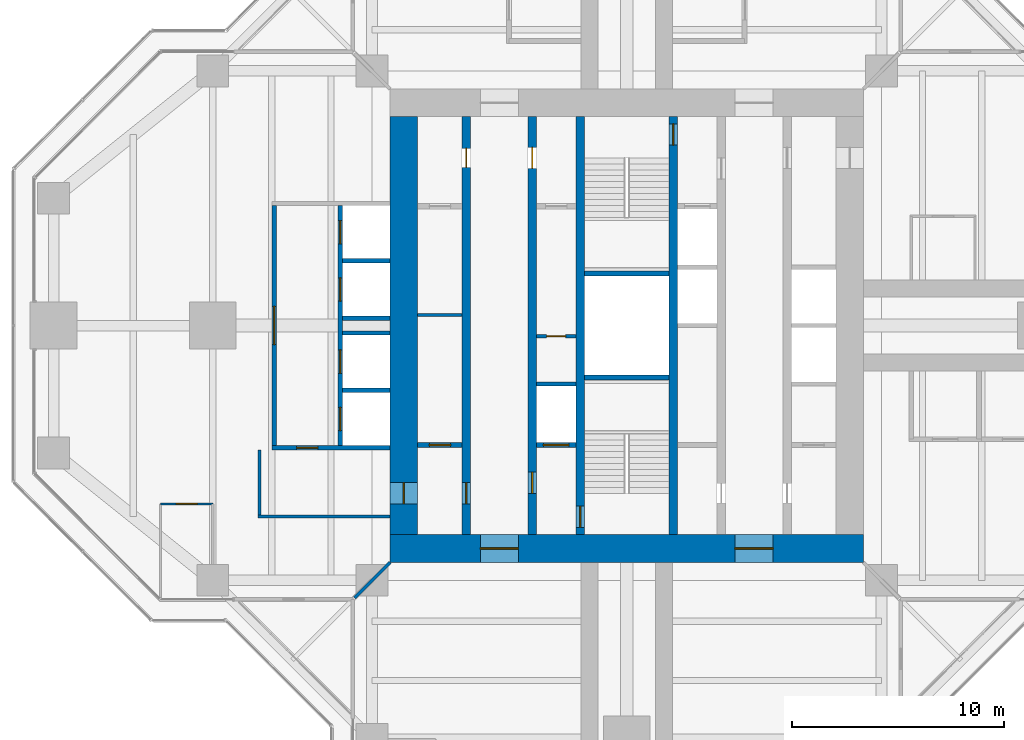
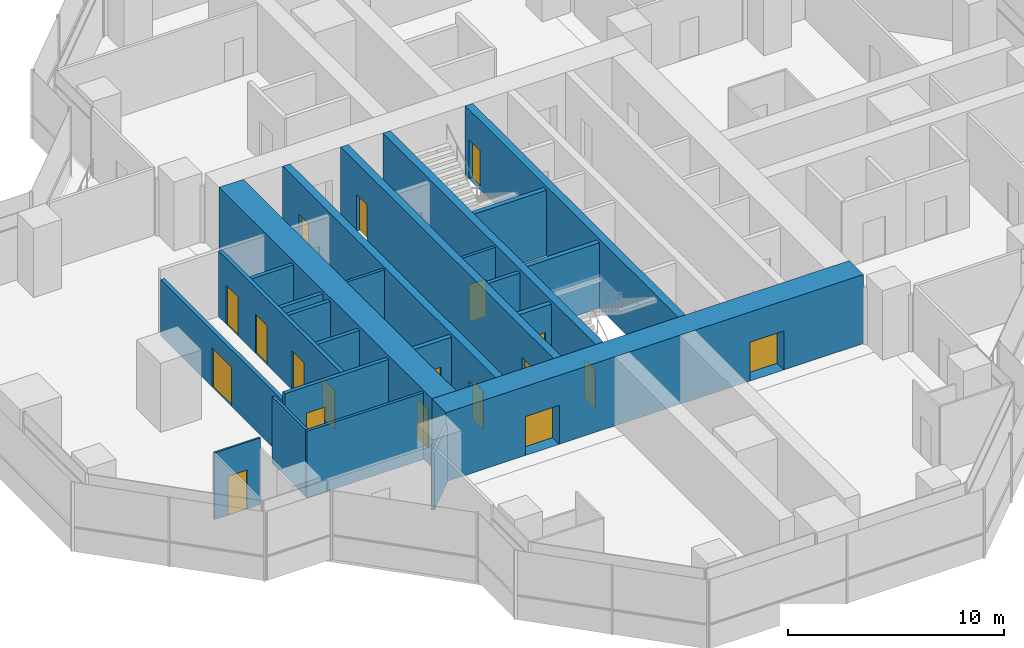
# One storey, part 13 of 17: 24 walls, 19 doors, 19 openings.
"""IFC4 building model written with IfcOpenShell, lengths in metres."""

from ifc_helpers import new_model, si_unit, direction, frame, frame_2d, origin, place, context, subcontext, project, spatial, rectangle, extrude, material, layer, layer_set, type_object, element, fill, save


model = new_model("IFC4")

# Units and contexts
model_context = context("Model", 3, precision=1e-05, world=origin(), true_north=direction((0.0, 1.0)))
body_context = subcontext(model_context, "Body", "Model", "MODEL_VIEW")
ifc_project = project(units=[si_unit("LENGTHUNIT", "METRE"), si_unit("AREAUNIT", "SQUARE_METRE"), si_unit("VOLUMEUNIT", "CUBIC_METRE"), si_unit("PLANEANGLEUNIT", "RADIAN"), si_unit("MASSUNIT", "GRAM", prefix="KILO")], contexts=[model_context])

# Site, building, storey
site_placement = place(None, origin())
site = spatial("IfcSite", under=ifc_project, at=site_placement, CompositionType="ELEMENT")
building_placement = place(site_placement, origin())
building = spatial("IfcBuilding", under=site, at=building_placement, Name="Mizan Broadcast Tower", CompositionType="ELEMENT")
storey_placement = place(building_placement, frame((0.0, 0.0, 236.10009765625)))
storey = spatial("IfcBuildingStorey", under=building, at=storey_placement, Name="L55", CompositionType="ELEMENT", Elevation=236.10009765625)

# Wall, openings, doors
ifc_material_1 = material(Name="Concrete C70/85", Category="concrete")
ifc_layer_1 = layer(ifc_material_1, 0.39990234375)
ifc_layer_set_1 = layer_set([ifc_layer_1], Name="Concrete C70/85")
wall_type_1 = type_object("IfcWallType", Name="CORE INTERNAL WALL 400", PredefinedType="SHEAR", material=ifc_layer_set_1)
wall_1_placement = place(storey_placement, frame((-7.550048828125, -9.85009765625, 0.0), z_axis=(0.0, 0.0, 1.0), x_axis=(0.0, 1.0, 0.0)))
wall_1 = element("IfcWall", 1, at=wall_1_placement, inside=storey, type_object=wall_type_1, Name="Core wall CORE/XW1", PredefinedType="SHEAR", context=body_context, shape_type="SweptSolid", body=[
    extrude(rectangle(XDim=19.7001953125, YDim=0.39990234375, at=frame_2d((9.85009765625, 0.0))), origin(), (0.0, 0.0, 1.0), 3.89990234375),
])
opening_1_placement = place(wall_1_placement, frame((1.449951171875, 0.0, 0.0)))
opening_1 = element("IfcOpeningElement", 2, at=opening_1_placement, cuts=wall_1, Name="Opening D10F", PredefinedType="OPENING", context=body_context, shape_type="SweptSolid", body=[
    extrude(rectangle(XDim=1.0, YDim=2.199951171875, at=frame_2d((0.5, 1.10009765625))), frame((0.0, 0.2099609375, 0.0), z_axis=(0.0, -1.0, 0.0), x_axis=(1.0, 0.0, 0.0)), (0.0, 0.0, 1.0), 0.419921875),
])
opening_2_placement = place(wall_1_placement, frame((17.300048828125, 0.0, 0.0)))
opening_2 = element("IfcOpeningElement", 3, at=opening_2_placement, cuts=wall_1, Name="Opening D09", PredefinedType="OPENING", context=body_context, shape_type="SweptSolid", body=[
    extrude(rectangle(XDim=0.89990234375, YDim=2.10009765625, at=frame_2d((0.449951171875, 1.050048828125))), frame((0.0, 0.2099609375, 0.0), z_axis=(0.0, -1.0, 0.0), x_axis=(1.0, 0.0, 0.0)), (0.0, 0.0, 1.0), 0.419921875),
])
ifc_material_2 = material(Name="Steel door leaf in steel frame", Category="steel")
door_type_1 = type_object("IfcDoorType", Name="FIRE DOOR 1000 FD90", OperationType="SINGLE_SWING_LEFT", PredefinedType="DOOR", material=ifc_material_2)
door_1_placement = place(opening_1_placement, origin())
door_1 = element("IfcDoor", 4, at=door_1_placement, inside=storey, type_object=door_type_1, Name="West core passage door", OperationType="SINGLE_SWING_LEFT", OverallHeight=2.199951171875, OverallWidth=1.0, PredefinedType="DOOR", context=body_context, shape_type="SweptSolid", body=[
    extrude(rectangle(XDim=1.0, YDim=2.199951171875, at=frame_2d((0.5, 1.10009765625))), frame((0.0, 0.02490234375, 0.0), z_axis=(0.0, -1.0, 0.0), x_axis=(1.0, 0.0, 0.0)), (0.0, 0.0, 1.0), 0.050048828125),
])
fill(opening_1, door_1)
ifc_material_3 = material(Name="Timber door leaf in aluminium frame", Category="wood")
door_type_2 = type_object("IfcDoorType", Name="TOILET DOOR 900", OperationType="SINGLE_SWING_LEFT", PredefinedType="DOOR", material=ifc_material_3)
door_2_placement = place(opening_2_placement, origin())
door_2 = element("IfcDoor", 5, at=door_2_placement, inside=storey, type_object=door_type_2, Name="Male WC door", OperationType="SINGLE_SWING_RIGHT", OverallHeight=2.10009765625, OverallWidth=0.89990234375, PredefinedType="DOOR", context=body_context, shape_type="SweptSolid", body=[
    extrude(rectangle(XDim=0.89990234375, YDim=2.10009765625, at=frame_2d((0.449951171875, 1.050048828125))), frame((0.0, 0.02490234375, 0.0), z_axis=(0.0, -1.0, 0.0), x_axis=(1.0, 0.0, 0.0)), (0.0, 0.0, 1.0), 0.050048828125),
])
fill(opening_2, door_2)

wall_2_placement = place(storey_placement, frame((-4.449951171875, -9.85009765625, 0.0), z_axis=(0.0, 0.0, 1.0), x_axis=(0.0, 1.0, 0.0)))
wall_2 = element("IfcWall", 6, at=wall_2_placement, inside=storey, type_object=wall_type_1, Name="Core wall CORE/XWH", PredefinedType="SHEAR", context=body_context, shape_type="SweptSolid", body=[
    extrude(rectangle(XDim=19.7001953125, YDim=0.39990234375, at=frame_2d((9.85009765625, 0.0))), origin(), (0.0, 0.0, 1.0), 3.89990234375),
])
opening_3_placement = place(wall_2_placement, frame((1.949951171875, 0.0, 0.0)))
opening_3 = element("IfcOpeningElement", 7, at=opening_3_placement, cuts=wall_2, Name="Opening D10F", PredefinedType="OPENING", context=body_context, shape_type="SweptSolid", body=[
    extrude(rectangle(XDim=1.0, YDim=2.199951171875, at=frame_2d((0.5, 1.10009765625))), frame((0.0, 0.2099609375, 0.0), z_axis=(0.0, -1.0, 0.0), x_axis=(1.0, 0.0, 0.0)), (0.0, 0.0, 1.0), 0.419921875),
])
opening_4_placement = place(wall_2_placement, frame((17.25, 0.0, 0.0)))
opening_4 = element("IfcOpeningElement", 8, at=opening_4_placement, cuts=wall_2, Name="Opening D10A", PredefinedType="OPENING", context=body_context, shape_type="SweptSolid", body=[
    extrude(rectangle(XDim=1.0, YDim=2.10009765625, at=frame_2d((0.5, 1.050048828125))), frame((0.0, 0.2099609375, 0.0), z_axis=(0.0, -1.0, 0.0), x_axis=(1.0, 0.0, 0.0)), (0.0, 0.0, 1.0), 0.419921875),
])
ifc_material_4 = material(Name="Timber door leaf in aluminium frame", Category="wood")
door_type_3 = type_object("IfcDoorType", Name="ACCESSIBLE WC DOOR 1000", OperationType="SLIDING_TO_LEFT", PredefinedType="DOOR", material=ifc_material_4)
door_3_placement = place(opening_4_placement, origin())
door_3 = element("IfcDoor", 9, at=door_3_placement, inside=storey, type_object=door_type_3, Name="Accessible WC door", OperationType="SLIDING_TO_LEFT", OverallHeight=2.10009765625, OverallWidth=1.0, PredefinedType="DOOR", context=body_context, shape_type="SweptSolid", body=[
    extrude(rectangle(XDim=1.0, YDim=2.10009765625, at=frame_2d((0.5, 1.050048828125))), frame((0.0, 0.02490234375, 0.0), z_axis=(0.0, -1.0, 0.0), x_axis=(1.0, 0.0, 0.0)), (0.0, 0.0, 1.0), 0.050048828125),
])
fill(opening_4, door_3)
door_4_placement = place(opening_3_placement, origin())
door_4 = element("IfcDoor", 10, at=door_4_placement, inside=storey, type_object=door_type_1, Name="Firefighting lobby A door", OperationType="SINGLE_SWING_LEFT", OverallHeight=2.199951171875, OverallWidth=1.0, PredefinedType="DOOR", context=body_context, shape_type="SweptSolid", body=[
    extrude(rectangle(XDim=1.0, YDim=2.199951171875, at=frame_2d((0.5, 1.10009765625))), frame((0.0, 0.02490234375, 0.0), z_axis=(0.0, -1.0, 0.0), x_axis=(1.0, 0.0, 0.0)), (0.0, 0.0, 1.0), 0.050048828125),
])
fill(opening_3, door_4)

# Wall, opening, door
wall_3_placement = place(storey_placement, frame((-2.199951171875, -9.85009765625, 0.0), z_axis=(0.0, 0.0, 1.0), x_axis=(0.0, 1.0, 0.0)))
wall_3 = element("IfcWall", 11, at=wall_3_placement, inside=storey, type_object=wall_type_1, Name="Core wall CORE/XW2", PredefinedType="SHEAR", context=body_context, shape_type="SweptSolid", body=[
    extrude(rectangle(XDim=19.7001953125, YDim=0.39990234375, at=frame_2d((9.85009765625, 0.0))), origin(), (0.0, 0.0, 1.0), 3.89990234375),
])
opening_5_placement = place(wall_3_placement, frame((0.35009765625, 0.0, 0.0)))
opening_5 = element("IfcOpeningElement", 12, at=opening_5_placement, cuts=wall_3, Name="Opening D10S", PredefinedType="OPENING", context=body_context, shape_type="SweptSolid", body=[
    extrude(rectangle(XDim=1.0, YDim=2.199951171875, at=frame_2d((0.5, 1.10009765625))), frame((0.0, 0.2099609375, 0.0), z_axis=(0.0, -1.0, 0.0), x_axis=(1.0, 0.0, 0.0)), (0.0, 0.0, 1.0), 0.419921875),
])
ifc_material_5 = material(Name="Steel door leaf in steel frame", Category="steel")
door_type_4 = type_object("IfcDoorType", Name="STAIR DOOR 1000 FD90S", OperationType="SINGLE_SWING_RIGHT", PredefinedType="DOOR", material=ifc_material_5)
door_5_placement = place(opening_5_placement, origin())
door_5 = element("IfcDoor", 13, at=door_5_placement, inside=storey, type_object=door_type_4, Name="Stair A door", OperationType="SINGLE_SWING_RIGHT", OverallHeight=2.199951171875, OverallWidth=1.0, PredefinedType="DOOR", context=body_context, shape_type="SweptSolid", body=[
    extrude(rectangle(XDim=1.0, YDim=2.199951171875, at=frame_2d((0.5, 1.10009765625))), frame((0.0, 0.02490234375, 0.0), z_axis=(0.0, -1.0, 0.0), x_axis=(1.0, 0.0, 0.0)), (0.0, 0.0, 1.0), 0.050048828125),
])
fill(opening_5, door_5)

wall_4_placement = place(storey_placement, frame((2.199951171875, 9.85009765625, 0.0), z_axis=(0.0, 0.0, 1.0), x_axis=(0.0, -1.0, 0.0)))
wall_4 = element("IfcWall", 14, at=wall_4_placement, inside=storey, type_object=wall_type_1, Name="Core wall CORE/XW2E", PredefinedType="SHEAR", context=body_context, shape_type="SweptSolid", body=[
    extrude(rectangle(XDim=19.7001953125, YDim=0.39990234375, at=frame_2d((9.85009765625, 0.0))), origin(), (0.0, 0.0, 1.0), 3.89990234375),
])
opening_6_placement = place(wall_4_placement, frame((0.35009765625, 0.0, 0.0)))
opening_6 = element("IfcOpeningElement", 15, at=opening_6_placement, cuts=wall_4, Name="Opening D10S", PredefinedType="OPENING", context=body_context, shape_type="SweptSolid", body=[
    extrude(rectangle(XDim=1.0, YDim=2.199951171875, at=frame_2d((0.5, 1.10009765625))), frame((0.0, 0.2099609375, 0.0), z_axis=(0.0, -1.0, 0.0), x_axis=(1.0, 0.0, 0.0)), (0.0, 0.0, 1.0), 0.419921875),
])
door_6_placement = place(opening_6_placement, origin())
door_6 = element("IfcDoor", 16, at=door_6_placement, inside=storey, type_object=door_type_4, Name="Stair B door", OperationType="SINGLE_SWING_RIGHT", OverallHeight=2.199951171875, OverallWidth=1.0, PredefinedType="DOOR", context=body_context, shape_type="SweptSolid", body=[
    extrude(rectangle(XDim=1.0, YDim=2.199951171875, at=frame_2d((0.5, 1.10009765625))), frame((0.0, 0.02490234375, 0.0), z_axis=(0.0, -1.0, 0.0), x_axis=(1.0, 0.0, 0.0)), (0.0, 0.0, 1.0), 0.050048828125),
])
fill(opening_6, door_6)

# Wall
ifc_material_6 = material(Name="Concrete blockwork", Category="masonry")
ifc_layer_2 = layer(ifc_material_6, 0.14990234375)
ifc_layer_set_2 = layer_set([ifc_layer_2], Name="Concrete blockwork")
wall_type_2 = type_object("IfcWallType", Name="CORE PARTITION 150", PredefinedType="SOLIDWALL", material=ifc_layer_set_2)
wall_5_placement = place(storey_placement, frame((-9.85009765625, 0.5, 0.0), z_axis=(0.0, 0.0, 1.0), x_axis=(1.0, 0.0, 0.0)))
element("IfcWall", 17, at=wall_5_placement, inside=storey, type_object=wall_type_2, Name="Core partition CORE/XP1", PredefinedType="SOLIDWALL", context=body_context, shape_type="SweptSolid", body=[
    extrude(rectangle(XDim=2.10009765625, YDim=0.14990234375, at=frame_2d((1.050048828125, 0.0))), origin(), (0.0, 0.0, 1.0), 3.77001953125),
])

# Wall, opening, door
wall_6_placement = place(storey_placement, frame((-4.25, -0.5, 0.0), z_axis=(0.0, 0.0, 1.0), x_axis=(1.0, 0.0, 0.0)))
wall_6 = element("IfcWall", 18, at=wall_6_placement, inside=storey, type_object=wall_type_2, Name="Core partition CORE/XP2", PredefinedType="SOLIDWALL", context=body_context, shape_type="SweptSolid", body=[
    extrude(rectangle(XDim=1.85009765625, YDim=0.14990234375, at=frame_2d((0.925048828125, 0.0))), origin(), (0.0, 0.0, 1.0), 3.77001953125),
])
opening_7_placement = place(wall_6_placement, frame((0.47509765625, 0.0, 0.0)))
opening_7 = element("IfcOpeningElement", 19, at=opening_7_placement, cuts=wall_6, Name="Opening D09F", PredefinedType="OPENING", context=body_context, shape_type="SweptSolid", body=[
    extrude(rectangle(XDim=0.89990234375, YDim=2.10009765625, at=frame_2d((0.449951171875, 1.050048828125))), frame((0.0, 0.0849609375, 0.0), z_axis=(0.0, -1.0, 0.0), x_axis=(1.0, 0.0, 0.0)), (0.0, 0.0, 1.0), 0.169921875),
])
ifc_material_7 = material(Name="Steel door leaf in steel frame", Category="steel")
door_type_5 = type_object("IfcDoorType", Name="CORE ROOM DOOR 900 FD90", OperationType="SINGLE_SWING_LEFT", PredefinedType="DOOR", material=ifc_material_7)
door_7_placement = place(opening_7_placement, origin())
door_7 = element("IfcDoor", 20, at=door_7_placement, inside=storey, type_object=door_type_5, Name="Staff shower room door", OperationType="SINGLE_SWING_RIGHT", OverallHeight=2.10009765625, OverallWidth=0.89990234375, PredefinedType="DOOR", context=body_context, shape_type="SweptSolid", body=[
    extrude(rectangle(XDim=0.89990234375, YDim=2.10009765625, at=frame_2d((0.449951171875, 1.050048828125))), frame((0.0, 0.02490234375, 0.0), z_axis=(0.0, -1.0, 0.0), x_axis=(1.0, 0.0, 0.0)), (0.0, 0.0, 1.0), 0.050048828125),
])
fill(opening_7, door_7)

# Wall, openings, doors
ifc_material_8 = material(Name="Concrete C70/85", Category="concrete")
ifc_layer_3 = layer(ifc_material_8, 1.300048828125)
ifc_layer_set_3 = layer_set([ifc_layer_3], Name="Concrete C70/85")
wall_type_3 = type_object("IfcWallType", Name="CORE WALL 1300", PredefinedType="SHEAR", material=ifc_layer_set_3)
wall_7_placement = place(storey_placement, frame((11.14990234375, -10.5, 0.0), z_axis=(0.0, 0.0, 1.0), x_axis=(-1.0, 0.0, 0.0)))
wall_7 = element("IfcWall", 21, at=wall_7_placement, inside=storey, type_object=wall_type_3, Name="Core wall S L55", PredefinedType="SHEAR", context=body_context, shape_type="SweptSolid", body=[
    extrude(rectangle(XDim=22.2998046875, YDim=1.300048828125, at=frame_2d((11.14990234375, 0.0))), origin(), (0.0, 0.0, 1.0), 3.89990234375),
])
opening_8_placement = place(wall_7_placement, frame((16.25, 0.0, 0.0)))
opening_8 = element("IfcOpeningElement", 22, at=opening_8_placement, cuts=wall_7, Name="Opening D18F", PredefinedType="OPENING", context=body_context, shape_type="SweptSolid", body=[
    extrude(rectangle(XDim=1.800048828125, YDim=2.199951171875, at=frame_2d((0.89990234375, 1.10009765625))), frame((0.0, 0.659912109375, 0.0), z_axis=(0.0, -1.0, 0.0), x_axis=(1.0, 0.0, 0.0)), (0.0, 0.0, 1.0), 1.320068359375),
])
opening_9_placement = place(wall_7_placement, frame((4.25, 0.0, 0.0)))
opening_9 = element("IfcOpeningElement", 23, at=opening_9_placement, cuts=wall_7, Name="Opening D18F", PredefinedType="OPENING", context=body_context, shape_type="SweptSolid", body=[
    extrude(rectangle(XDim=1.800048828125, YDim=2.199951171875, at=frame_2d((0.89990234375, 1.10009765625))), frame((0.0, 0.659912109375, 0.0), z_axis=(0.0, -1.0, 0.0), x_axis=(1.0, 0.0, 0.0)), (0.0, 0.0, 1.0), 1.320068359375),
])
ifc_material_9 = material(Name="Steel door leaf in steel frame", Category="steel")
door_type_6 = type_object("IfcDoorType", Name="LOBBY DOUBLE DOOR 1800 FD90", OperationType="DOUBLE_DOOR_DOUBLE_SWING", PredefinedType="DOOR", material=ifc_material_9)
door_8_placement = place(opening_8_placement, origin())
door_8 = element("IfcDoor", 24, at=door_8_placement, inside=storey, type_object=door_type_6, Name="West lift lobby south door", OperationType="DOUBLE_DOOR_DOUBLE_SWING", OverallHeight=2.199951171875, OverallWidth=1.800048828125, PredefinedType="DOOR", context=body_context, shape_type="SweptSolid", body=[
    extrude(rectangle(XDim=1.800048828125, YDim=2.199951171875, at=frame_2d((0.89990234375, 1.10009765625))), frame((0.0, 0.02490234375, 0.0), z_axis=(0.0, -1.0, 0.0), x_axis=(1.0, 0.0, 0.0)), (0.0, 0.0, 1.0), 0.050048828125),
])
fill(opening_8, door_8)
door_9_placement = place(opening_9_placement, origin())
door_9 = element("IfcDoor", 25, at=door_9_placement, inside=storey, type_object=door_type_6, Name="East lift lobby south door", OperationType="DOUBLE_DOOR_DOUBLE_SWING", OverallHeight=2.199951171875, OverallWidth=1.800048828125, PredefinedType="DOOR", context=body_context, shape_type="SweptSolid", body=[
    extrude(rectangle(XDim=1.800048828125, YDim=2.199951171875, at=frame_2d((0.89990234375, 1.10009765625))), frame((0.0, 0.02490234375, 0.0), z_axis=(0.0, -1.0, 0.0), x_axis=(1.0, 0.0, 0.0)), (0.0, 0.0, 1.0), 0.050048828125),
])
fill(opening_9, door_9)

# Wall, opening, door
wall_8_placement = place(storey_placement, frame((-10.5, 9.85009765625, 0.0), z_axis=(0.0, 0.0, 1.0), x_axis=(0.0, -1.0, 0.0)))
wall_8 = element("IfcWall", 26, at=wall_8_placement, inside=storey, type_object=wall_type_3, Name="Core wall W L55", PredefinedType="SHEAR", context=body_context, shape_type="SweptSolid", body=[
    extrude(rectangle(XDim=19.7001953125, YDim=1.300048828125, at=frame_2d((9.85009765625, 0.0))), origin(), (0.0, 0.0, 1.0), 3.89990234375),
])
opening_10_placement = place(wall_8_placement, frame((17.25, 0.0, 0.0)))
opening_10 = element("IfcOpeningElement", 27, at=opening_10_placement, cuts=wall_8, Name="Opening D10F", PredefinedType="OPENING", context=body_context, shape_type="SweptSolid", body=[
    extrude(rectangle(XDim=1.0, YDim=2.199951171875, at=frame_2d((0.5, 1.10009765625))), frame((0.0, 0.659912109375, 0.0), z_axis=(0.0, -1.0, 0.0), x_axis=(1.0, 0.0, 0.0)), (0.0, 0.0, 1.0), 1.320068359375),
])
door_10_placement = place(opening_10_placement, origin())
door_10 = element("IfcDoor", 28, at=door_10_placement, inside=storey, type_object=door_type_1, Name="West core passage arm door", OperationType="SINGLE_SWING_RIGHT", OverallHeight=2.199951171875, OverallWidth=1.0, PredefinedType="DOOR", context=body_context, shape_type="SweptSolid", body=[
    extrude(rectangle(XDim=1.0, YDim=2.199951171875, at=frame_2d((0.5, 1.10009765625))), frame((0.0, 0.02490234375, 0.0), z_axis=(0.0, -1.0, 0.0), x_axis=(1.0, 0.0, 0.0)), (0.0, 0.0, 1.0), 0.050048828125),
])
fill(opening_10, door_10)

# Wall
ifc_material_10 = material(Name="Concrete blockwork", Category="masonry")
ifc_layer_4 = layer(ifc_material_10, 0.199951171875)
ifc_layer_set_4 = layer_set([ifc_layer_4], Name="Concrete blockwork")
wall_type_4 = type_object("IfcWallType", Name="LIFT SHAFT WALL 200", PredefinedType="SOLIDWALL", material=ifc_layer_set_4)
wall_9_placement = place(storey_placement, frame((-4.25, -2.75, 0.0), z_axis=(0.0, 0.0, 1.0), x_axis=(1.0, 0.0, 0.0)))
element("IfcWall", 29, at=wall_9_placement, inside=storey, type_object=wall_type_4, Name="Lift shaft wall CORE/SW2-1", PredefinedType="SOLIDWALL", context=body_context, shape_type="SweptSolid", body=[
    extrude(rectangle(XDim=1.85009765625, YDim=0.199951171875, at=frame_2d((0.925048828125, 0.0))), origin(), (0.0, 0.0, 1.0), 3.699951171875),
])

# Wall, openings, doors
wall_10_placement = place(storey_placement, frame((-13.5, 5.64990234375, 0.0), z_axis=(0.0, 0.0, 1.0), x_axis=(0.0, -1.0, 0.0)))
wall_10 = element("IfcWall", 30, at=wall_10_placement, inside=storey, type_object=wall_type_4, Name="Lift shaft wall LC/F", PredefinedType="SOLIDWALL", context=body_context, shape_type="SweptSolid", body=[
    extrude(rectangle(XDim=11.2998046875, YDim=0.199951171875, at=frame_2d((5.64990234375, 0.0))), origin(), (0.0, 0.0, 1.0), 3.699951171875),
])
opening_11_placement = place(wall_10_placement, frame((0.699951171875, 0.0, 0.0)))
opening_11 = element("IfcOpeningElement", 31, at=opening_11_placement, cuts=wall_10, Name="Opening LD", PredefinedType="OPENING", context=body_context, shape_type="SweptSolid", body=[
    extrude(rectangle(XDim=1.10009765625, YDim=2.199951171875, at=frame_2d((0.550048828125, 1.10009765625))), frame((0.0, 0.10986328125, 0.0), z_axis=(0.0, -1.0, 0.0), x_axis=(1.0, 0.0, 0.0)), (0.0, 0.0, 1.0), 0.219970703125),
])
opening_12_placement = place(wall_10_placement, frame((3.39990234375, 0.0, 0.0)))
opening_12 = element("IfcOpeningElement", 32, at=opening_12_placement, cuts=wall_10, Name="Opening LD", PredefinedType="OPENING", context=body_context, shape_type="SweptSolid", body=[
    extrude(rectangle(XDim=1.10009765625, YDim=2.199951171875, at=frame_2d((0.550048828125, 1.10009765625))), frame((0.0, 0.10986328125, 0.0), z_axis=(0.0, -1.0, 0.0), x_axis=(1.0, 0.0, 0.0)), (0.0, 0.0, 1.0), 0.219970703125),
])
opening_13_placement = place(wall_10_placement, frame((6.800048828125, 0.0, 0.0)))
opening_13 = element("IfcOpeningElement", 33, at=opening_13_placement, cuts=wall_10, Name="Opening LD", PredefinedType="OPENING", context=body_context, shape_type="SweptSolid", body=[
    extrude(rectangle(XDim=1.10009765625, YDim=2.199951171875, at=frame_2d((0.550048828125, 1.10009765625))), frame((0.0, 0.10986328125, 0.0), z_axis=(0.0, -1.0, 0.0), x_axis=(1.0, 0.0, 0.0)), (0.0, 0.0, 1.0), 0.219970703125),
])
opening_14_placement = place(wall_10_placement, frame((9.5, 0.0, 0.0)))
opening_14 = element("IfcOpeningElement", 34, at=opening_14_placement, cuts=wall_10, Name="Opening LD", PredefinedType="OPENING", context=body_context, shape_type="SweptSolid", body=[
    extrude(rectangle(XDim=1.10009765625, YDim=2.199951171875, at=frame_2d((0.550048828125, 1.10009765625))), frame((0.0, 0.10986328125, 0.0), z_axis=(0.0, -1.0, 0.0), x_axis=(1.0, 0.0, 0.0)), (0.0, 0.0, 1.0), 0.219970703125),
])
ifc_material_11 = material(Name="Steel door leaf in steel frame", Category="steel")
door_type_7 = type_object("IfcDoorType", Name="LIFT LANDING DOOR 1100", OperationType="SLIDING_TO_LEFT", PredefinedType="DOOR", material=ifc_material_11)
door_11_placement = place(opening_11_placement, origin())
door_11 = element("IfcDoor", 35, at=door_11_placement, inside=storey, type_object=door_type_7, Name="Landing door LC1", OperationType="SLIDING_TO_LEFT", OverallHeight=2.199951171875, OverallWidth=1.10009765625, PredefinedType="DOOR", context=body_context, shape_type="SweptSolid", body=[
    extrude(rectangle(XDim=1.10009765625, YDim=2.199951171875, at=frame_2d((0.550048828125, 1.10009765625))), frame((0.0, 0.02490234375, 0.0), z_axis=(0.0, -1.0, 0.0), x_axis=(1.0, 0.0, 0.0)), (0.0, 0.0, 1.0), 0.050048828125),
])
fill(opening_11, door_11)
door_12_placement = place(opening_12_placement, origin())
door_12 = element("IfcDoor", 36, at=door_12_placement, inside=storey, type_object=door_type_7, Name="Landing door LC2", OperationType="SLIDING_TO_LEFT", OverallHeight=2.199951171875, OverallWidth=1.10009765625, PredefinedType="DOOR", context=body_context, shape_type="SweptSolid", body=[
    extrude(rectangle(XDim=1.10009765625, YDim=2.199951171875, at=frame_2d((0.550048828125, 1.10009765625))), frame((0.0, 0.02490234375, 0.0), z_axis=(0.0, -1.0, 0.0), x_axis=(1.0, 0.0, 0.0)), (0.0, 0.0, 1.0), 0.050048828125),
])
fill(opening_12, door_12)
door_13_placement = place(opening_13_placement, origin())
door_13 = element("IfcDoor", 37, at=door_13_placement, inside=storey, type_object=door_type_7, Name="Landing door LC3", OperationType="SLIDING_TO_LEFT", OverallHeight=2.199951171875, OverallWidth=1.10009765625, PredefinedType="DOOR", context=body_context, shape_type="SweptSolid", body=[
    extrude(rectangle(XDim=1.10009765625, YDim=2.199951171875, at=frame_2d((0.550048828125, 1.10009765625))), frame((0.0, 0.02490234375, 0.0), z_axis=(0.0, -1.0, 0.0), x_axis=(1.0, 0.0, 0.0)), (0.0, 0.0, 1.0), 0.050048828125),
])
fill(opening_13, door_13)
door_14_placement = place(opening_14_placement, origin())
door_14 = element("IfcDoor", 38, at=door_14_placement, inside=storey, type_object=door_type_7, Name="Landing door LC4", OperationType="SLIDING_TO_LEFT", OverallHeight=2.199951171875, OverallWidth=1.10009765625, PredefinedType="DOOR", context=body_context, shape_type="SweptSolid", body=[
    extrude(rectangle(XDim=1.10009765625, YDim=2.199951171875, at=frame_2d((0.550048828125, 1.10009765625))), frame((0.0, 0.02490234375, 0.0), z_axis=(0.0, -1.0, 0.0), x_axis=(1.0, 0.0, 0.0)), (0.0, 0.0, 1.0), 0.050048828125),
])
fill(opening_14, door_14)

# Wall, opening, door
wall_11_placement = place(storey_placement, frame((-11.14990234375, -5.75, 0.0), z_axis=(0.0, 0.0, 1.0), x_axis=(-1.0, 0.0, 0.0)))
wall_11 = element("IfcWall", 39, at=wall_11_placement, inside=storey, type_object=wall_type_4, Name="Lift shaft wall LC/S2", PredefinedType="SOLIDWALL", context=body_context, shape_type="SweptSolid", body=[
    extrude(rectangle(XDim=5.550048828125, YDim=0.199951171875, at=frame_2d((2.77490234375, 0.0))), origin(), (0.0, 0.0, 1.0), 3.699951171875),
])
opening_15_placement = place(wall_11_placement, frame((3.39990234375, 0.0, 0.0)))
opening_15 = element("IfcOpeningElement", 40, at=opening_15_placement, cuts=wall_11, Name="Opening D10F", PredefinedType="OPENING", context=body_context, shape_type="SweptSolid", body=[
    extrude(rectangle(XDim=1.0, YDim=2.199951171875, at=frame_2d((0.5, 1.10009765625))), frame((0.0, 0.10986328125, 0.0), z_axis=(0.0, -1.0, 0.0), x_axis=(1.0, 0.0, 0.0)), (0.0, 0.0, 1.0), 0.219970703125),
])
door_15_placement = place(opening_15_placement, origin())
door_15 = element("IfcDoor", 41, at=door_15_placement, inside=storey, type_object=door_type_1, Name="High-rise lobby corridor door", OperationType="SINGLE_SWING_RIGHT", OverallHeight=2.199951171875, OverallWidth=1.0, PredefinedType="DOOR", context=body_context, shape_type="SweptSolid", body=[
    extrude(rectangle(XDim=1.0, YDim=2.199951171875, at=frame_2d((0.5, 1.10009765625))), frame((0.0, 0.02490234375, 0.0), z_axis=(0.0, -1.0, 0.0), x_axis=(1.0, 0.0, 0.0)), (0.0, 0.0, 1.0), 0.050048828125),
])
fill(opening_15, door_15)

# Walls
for number, where, z_axis, x_axis, name in (
    (42, (-11.14990234375, 3.050048828125, 0.0), (0.0, 0.0, 1.0), (-1.0, 0.0, 0.0), "Lift shaft wall LC/SP1"),
    (43, (-11.14990234375, 0.35009765625, 0.0), (0.0, 0.0, 1.0), (-1.0, 0.0, 0.0), "Lift shaft wall LC/SP2"),
    (44, (-11.14990234375, -0.35009765625, 0.0), (0.0, 0.0, 1.0), (-1.0, 0.0, 0.0), "Lift shaft wall LC/SP3"),
    (45, (-11.14990234375, -3.050048828125, 0.0), (0.0, 0.0, 1.0), (-1.0, 0.0, 0.0), "Lift shaft wall LC/SP4"),
):
    element("IfcWall", number, at=place(storey_placement, frame(where, z_axis=z_axis, x_axis=x_axis)), inside=storey, type_object=wall_type_4, Name=name, PredefinedType="SOLIDWALL", context=body_context, shape_type="SweptSolid", body=[
        extrude(rectangle(XDim=2.25, YDim=0.199951171875, at=frame_2d((1.125, 0.0))), origin(), (0.0, 0.0, 1.0), 3.699951171875),
    ])

# Wall, opening, door
ifc_material_12 = material(Name="Concrete blockwork", Category="masonry")
ifc_layer_5 = layer(ifc_material_12, 0.25)
ifc_layer_set_5 = layer_set([ifc_layer_5], Name="Concrete blockwork")
wall_type_5 = type_object("IfcWallType", Name="LOBBY ENCLOSURE WALL 250", PredefinedType="SOLIDWALL", material=ifc_layer_set_5)
wall_12_placement = place(storey_placement, frame((-9.85009765625, -5.625, 0.0), z_axis=(0.0, 0.0, 1.0), x_axis=(1.0, 0.0, 0.0)))
wall_12 = element("IfcWall", 46, at=wall_12_placement, inside=storey, type_object=wall_type_5, Name="Lobby enclosure wall CORE/BW1S", PredefinedType="SOLIDWALL", context=body_context, shape_type="SweptSolid", body=[
    extrude(rectangle(XDim=2.10009765625, YDim=0.25, at=frame_2d((1.050048828125, 0.0))), origin(), (0.0, 0.0, 1.0), 3.699951171875),
])
opening_16_placement = place(wall_12_placement, frame((0.550048828125, 0.0, 0.0)))
opening_16 = element("IfcOpeningElement", 47, at=opening_16_placement, cuts=wall_12, Name="Opening D10F", PredefinedType="OPENING", context=body_context, shape_type="SweptSolid", body=[
    extrude(rectangle(XDim=1.0, YDim=2.199951171875, at=frame_2d((0.5, 1.10009765625))), frame((0.0, 0.135009765625, 0.0), z_axis=(0.0, -1.0, 0.0), x_axis=(1.0, 0.0, 0.0)), (0.0, 0.0, 1.0), 0.27001953125),
])
door_16_placement = place(opening_16_placement, origin())
door_16 = element("IfcDoor", 48, at=door_16_placement, inside=storey, type_object=door_type_1, Name="Vending room door", OperationType="SINGLE_SWING_RIGHT", OverallHeight=2.199951171875, OverallWidth=1.0, PredefinedType="DOOR", context=body_context, shape_type="SweptSolid", body=[
    extrude(rectangle(XDim=1.0, YDim=2.199951171875, at=frame_2d((0.5, 1.10009765625))), frame((0.0, 0.02490234375, 0.0), z_axis=(0.0, -1.0, 0.0), x_axis=(1.0, 0.0, 0.0)), (0.0, 0.0, 1.0), 0.050048828125),
])
fill(opening_16, door_16)

wall_13_placement = place(storey_placement, frame((-4.25, -5.625, 0.0), z_axis=(0.0, 0.0, 1.0), x_axis=(1.0, 0.0, 0.0)))
wall_13 = element("IfcWall", 49, at=wall_13_placement, inside=storey, type_object=wall_type_5, Name="Lobby enclosure wall CORE/BW2S", PredefinedType="SOLIDWALL", context=body_context, shape_type="SweptSolid", body=[
    extrude(rectangle(XDim=1.85009765625, YDim=0.25, at=frame_2d((0.925048828125, 0.0))), origin(), (0.0, 0.0, 1.0), 3.699951171875),
])
opening_17_placement = place(wall_13_placement, frame((0.324951171875, 0.0, 0.0)))
opening_17 = element("IfcOpeningElement", 50, at=opening_17_placement, cuts=wall_13, Name="Opening LDF", PredefinedType="OPENING", context=body_context, shape_type="SweptSolid", body=[
    extrude(rectangle(XDim=1.199951171875, YDim=2.199951171875, at=frame_2d((0.60009765625, 1.10009765625))), frame((0.0, 0.135009765625, 0.0), z_axis=(0.0, -1.0, 0.0), x_axis=(1.0, 0.0, 0.0)), (0.0, 0.0, 1.0), 0.27001953125),
])
ifc_material_13 = material(Name="Steel door leaf in steel frame", Category="steel")
door_type_8 = type_object("IfcDoorType", Name="FIREFIGHTING LIFT LANDING DOOR 1200", OperationType="SLIDING_TO_LEFT", PredefinedType="DOOR", material=ifc_material_13)
door_17_placement = place(opening_17_placement, origin())
door_17 = element("IfcDoor", 51, at=door_17_placement, inside=storey, type_object=door_type_8, Name="Landing door FF1", OperationType="SLIDING_TO_LEFT", OverallHeight=2.199951171875, OverallWidth=1.199951171875, PredefinedType="DOOR", context=body_context, shape_type="SweptSolid", body=[
    extrude(rectangle(XDim=1.199951171875, YDim=2.199951171875, at=frame_2d((0.60009765625, 1.10009765625))), frame((0.0, 0.02490234375, 0.0), z_axis=(0.0, -1.0, 0.0), x_axis=(1.0, 0.0, 0.0)), (0.0, 0.0, 1.0), 0.050048828125),
])
fill(opening_17, door_17)

# Walls
for number, where, z_axis, x_axis, name in (
    (52, (-2.0, -2.449951171875, 0.0), (0.0, 0.0, 1.0), (1.0, 0.0, 0.0), "Lobby enclosure wall CORE/STA"),
    (53, (-2.0, 2.449951171875, 0.0), (0.0, 0.0, 1.0), (1.0, 0.0, 0.0), "Lobby enclosure wall CORE/STB"),
):
    element("IfcWall", number, at=place(storey_placement, frame(where, z_axis=z_axis, x_axis=x_axis)), inside=storey, type_object=wall_type_5, Name=name, PredefinedType="SOLIDWALL", context=body_context, shape_type="SweptSolid", body=[
        extrude(rectangle(XDim=4.0, YDim=0.25, at=frame_2d((2.0, 0.0))), origin(), (0.0, 0.0, 1.0), 3.699951171875),
    ])

# Wall, opening, door
wall_14_placement = place(storey_placement, frame((-16.60009765625, 5.64990234375, 0.0), z_axis=(0.0, 0.0, 1.0), x_axis=(0.0, -1.0, 0.0)))
wall_14 = element("IfcWall", 54, at=wall_14_placement, inside=storey, type_object=wall_type_5, Name="Lobby enclosure wall LC/LF", PredefinedType="SOLIDWALL", context=body_context, shape_type="SweptSolid", body=[
    extrude(rectangle(XDim=11.2998046875, YDim=0.199951171875, at=frame_2d((5.64990234375, 0.0))), origin(), (0.0, 0.0, 1.0), 3.179931640625),
])
opening_18_placement = place(wall_14_placement, frame((4.75, 0.0, 0.0)))
opening_18 = element("IfcOpeningElement", 55, at=opening_18_placement, cuts=wall_14, Name="Opening D18F", PredefinedType="OPENING", context=body_context, shape_type="SweptSolid", body=[
    extrude(rectangle(XDim=1.800048828125, YDim=2.199951171875, at=frame_2d((0.89990234375, 1.10009765625))), frame((0.0, 0.10986328125, 0.0), z_axis=(0.0, -1.0, 0.0), x_axis=(1.0, 0.0, 0.0)), (0.0, 0.0, 1.0), 0.219970703125),
])
door_18_placement = place(opening_18_placement, origin())
door_18 = element("IfcDoor", 56, at=door_18_placement, inside=storey, type_object=door_type_6, Name="High-rise lift lobby door", OperationType="DOUBLE_DOOR_DOUBLE_SWING", OverallHeight=2.199951171875, OverallWidth=1.800048828125, PredefinedType="DOOR", context=body_context, shape_type="SweptSolid", body=[
    extrude(rectangle(XDim=1.800048828125, YDim=2.199951171875, at=frame_2d((0.89990234375, 1.10009765625))), frame((0.0, 0.02490234375, 0.0), z_axis=(0.0, -1.0, 0.0), x_axis=(1.0, 0.0, 0.0)), (0.0, 0.0, 1.0), 0.050048828125),
])
fill(opening_18, door_18)

# Walls
ifc_material_14 = material(Name="Gypsum board on steel studs", Category="steel")
ifc_layer_6 = layer(ifc_material_14, 0.14990234375)
ifc_layer_set_6 = layer_set([ifc_layer_6], Name="Gypsum board on steel studs")
wall_type_6 = type_object("IfcWallType", Name="PARTITION 150", PredefinedType="PARTITIONING", material=ifc_layer_set_6)
wall_15_placement = place(storey_placement, frame((-11.14990234375, -11.14990234375, 0.0), z_axis=(0.0, 0.0, 1.0), x_axis=(-0.707106781187, -0.707106781187, 0.0)))
element("IfcWall", 57, at=wall_15_placement, inside=storey, type_object=wall_type_6, Name="Partition PT/DGWS", PredefinedType="PARTITIONING", context=body_context, shape_type="SweptSolid", body=[
    extrude(rectangle(XDim=2.362060546875, YDim=0.14990234375, at=frame_2d((1.18115234375, 0.0))), origin(), (0.0, 0.0, 1.0), 3.219970703125),
])
wall_16_placement = place(storey_placement, frame((-11.14990234375, -9.0, 0.0), z_axis=(0.0, 0.0, 1.0), x_axis=(-1.0, 0.0, 0.0)))
element("IfcWall", 58, at=wall_16_placement, inside=storey, type_object=wall_type_6, Name="Partition PT/LCC1", PredefinedType="PARTITIONING", context=body_context, shape_type="SweptSolid", body=[
    extrude(rectangle(XDim=6.22509765625, YDim=0.14990234375, at=frame_2d((3.112548828125, 0.0))), origin(), (0.0, 0.0, 1.0), 3.77001953125),
])
wall_17_placement = place(storey_placement, frame((-17.300048828125, -5.85009765625, 0.0), z_axis=(0.0, 0.0, 1.0), x_axis=(0.0, -1.0, 0.0)))
element("IfcWall", 59, at=wall_17_placement, inside=storey, type_object=wall_type_6, Name="Partition PT/LCC2", PredefinedType="PARTITIONING", context=body_context, shape_type="SweptSolid", body=[
    extrude(rectangle(XDim=3.074951171875, YDim=0.14990234375, at=frame_2d((1.53759765625, 0.0))), origin(), (0.0, 0.0, 1.0), 3.77001953125),
])

# Wall, opening, door
ifc_material_15 = material(Name="Glazed aluminium partition on aluminium track", Category="aluminium")
ifc_layer_7 = layer(ifc_material_15, 0.10009765625)
ifc_layer_set_7 = layer_set([ifc_layer_7], Name="Glazed aluminium partition on aluminium track")
wall_type_7 = type_object("IfcWallType", Name="PARTITION GLAZED OFFICE FRONT 100", PredefinedType="PARTITIONING", material=ifc_layer_set_7)
wall_18_placement = place(storey_placement, frame((-19.5, -8.39990234375, 0.0), z_axis=(0.0, 0.0, 1.0), x_axis=(-1.0, 0.0, 0.0)))
wall_18 = element("IfcWall", 60, at=wall_18_placement, inside=storey, type_object=wall_type_7, Name="Glazed office front PT/WCP0", PredefinedType="PARTITIONING", context=body_context, shape_type="SweptSolid", body=[
    extrude(rectangle(XDim=2.458984375, YDim=0.10009765625, at=frame_2d((1.2294921875, 0.0))), origin(), (0.0, 0.0, 1.0), 3.77001953125),
])
opening_19_placement = place(wall_18_placement, frame((0.7294921875, 0.0, 0.0)))
opening_19 = element("IfcOpeningElement", 61, at=opening_19_placement, cuts=wall_18, Name="Opening D10O", PredefinedType="OPENING", context=body_context, shape_type="SweptSolid", body=[
    extrude(rectangle(XDim=1.0, YDim=2.199951171875, at=frame_2d((0.5, 1.10009765625))), frame((0.0, 0.06005859375, 0.0), z_axis=(0.0, -1.0, 0.0), x_axis=(1.0, 0.0, 0.0)), (0.0, 0.0, 1.0), 0.1201171875),
])
ifc_material_16 = material(Name="Timber door leaf in aluminium frame", Category="wood")
door_type_9 = type_object("IfcDoorType", Name="OFFICE DOOR 1000 GLAZED", OperationType="SINGLE_SWING_LEFT", PredefinedType="DOOR", material=ifc_material_16)
door_19_placement = place(opening_19_placement, origin())
door_19 = element("IfcDoor", 62, at=door_19_placement, inside=storey, type_object=door_type_9, Name="Producer's office door", OperationType="SINGLE_SWING_LEFT", OverallHeight=2.199951171875, OverallWidth=1.0, PredefinedType="DOOR", context=body_context, shape_type="SweptSolid", body=[
    extrude(rectangle(XDim=1.0, YDim=2.199951171875, at=frame_2d((0.5, 1.10009765625))), frame((0.0, 0.02490234375, 0.0), z_axis=(0.0, -1.0, 0.0), x_axis=(1.0, 0.0, 0.0)), (0.0, 0.0, 1.0), 0.050048828125),
])
fill(opening_19, door_19)

save(model, "model.ifc")
